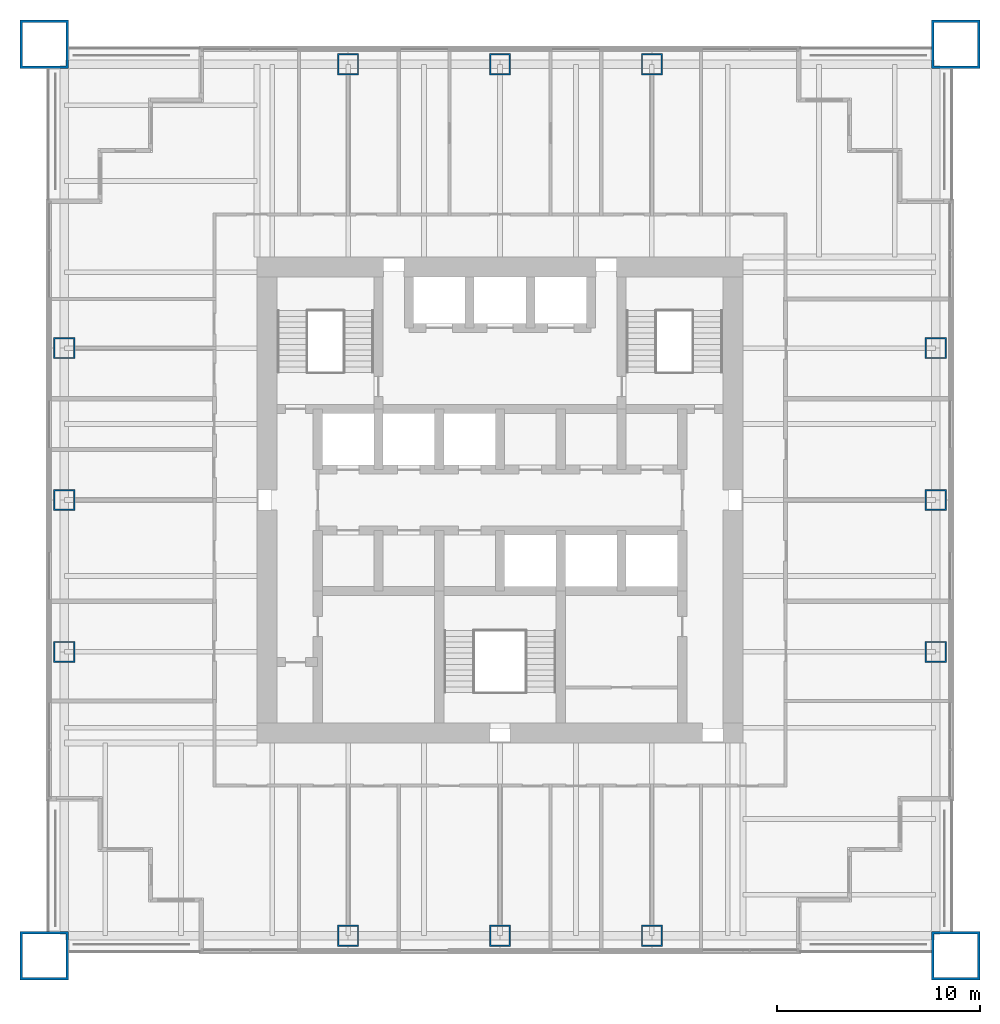
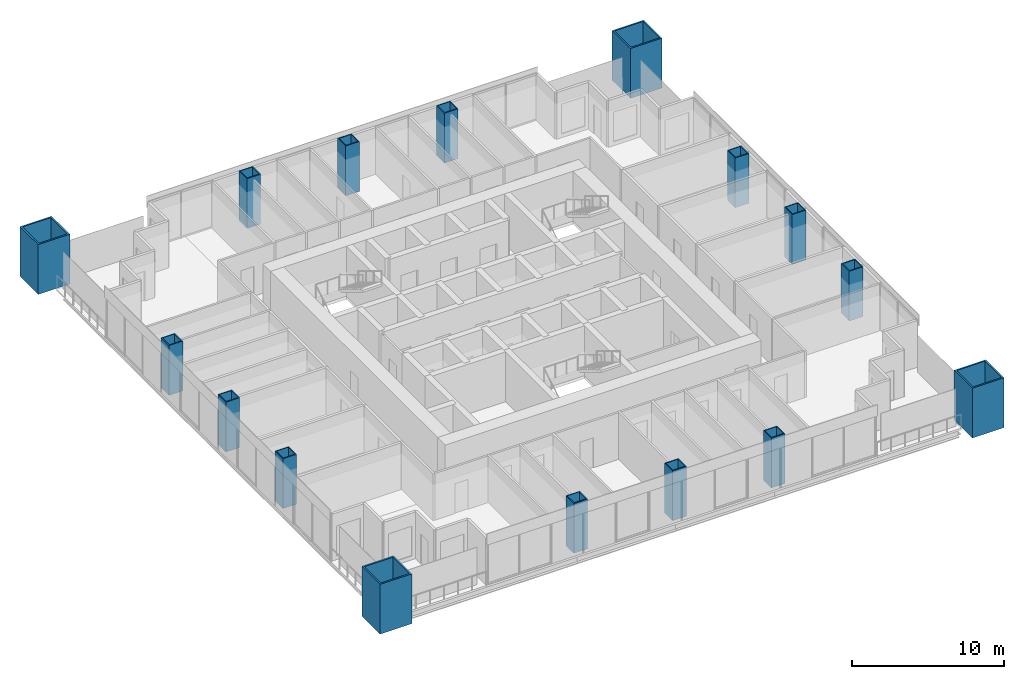
# One storey, part 1 of 14: 16 columns.
"""IFC4 building model written with IfcOpenShell, lengths in metres."""

from ifc_helpers import new_model, si_unit, direction, frame, origin, origin_2d, place, context, subcontext, project, spatial, hollow_rectangle, extrude, material, material_profile, profile_set, type_object, element, save


model = new_model("IFC4")

# Units and contexts
model_context = context("Model", 3, precision=1e-05, world=origin(), true_north=direction((0.0, 1.0)))
body_context = subcontext(model_context, "Body", "Model", "MODEL_VIEW")
ifc_project = project(units=[si_unit("LENGTHUNIT", "METRE"), si_unit("AREAUNIT", "SQUARE_METRE"), si_unit("VOLUMEUNIT", "CUBIC_METRE"), si_unit("PLANEANGLEUNIT", "RADIAN"), si_unit("MASSUNIT", "GRAM", prefix="KILO")], contexts=[model_context])

# Site, building, storey
site_placement = place(None, origin())
site = spatial("IfcSite", under=ifc_project, at=site_placement, CompositionType="ELEMENT")
building_placement = place(site_placement, origin())
building = spatial("IfcBuilding", under=site, at=building_placement, Name="Tarangal Relay Tower", CompositionType="ELEMENT")
storey_placement = place(building_placement, frame((0.0, 0.0, 249.89990234375)))
storey = spatial("IfcBuildingStorey", under=building, at=storey_placement, Name="L54", CompositionType="ELEMENT", Elevation=249.89990234375)

# Columns
ifc_material_1 = material(Name="Steel ASTM A572 Grade 42", Category="steel")
ifc_material_profile_1 = material_profile(ifc_material_1, hollow_rectangle(XDim=2.39990234375, YDim=2.39990234375, WallThickness=0.1201171875, at=origin_2d()), Name="BOX2400X2400X120")
ifc_profile_set_1 = profile_set([ifc_material_profile_1], Name="Steel ASTM A572 Grade 42")
column_type_1 = type_object("IfcColumnType", Name="Mega column BOX2400X2400X120", PredefinedType="COLUMN", material=ifc_profile_set_1)
for number, where, z_axis, x_axis, name in (
    (1, (22.5, 22.5, 0.0), (0.0, 0.0, 1.0), (1.0, 0.0, 0.0), "Mega column MC3 NE L54"),
    (2, (22.5, -22.5, 0.0), (0.0, 0.0, 1.0), (1.0, 0.0, 0.0), "Mega column MC3 SE L54"),
    (3, (-22.5, -22.5, 0.0), (0.0, 0.0, 1.0), (1.0, 0.0, 0.0), "Mega column MC3 SW L54"),
    (4, (-22.5, 22.5, 0.0), (0.0, 0.0, 1.0), (1.0, 0.0, 0.0), "Mega column MC3 NW L54"),
):
    element("IfcColumn", number, at=place(storey_placement, frame(where, z_axis=z_axis, x_axis=x_axis)), inside=storey, type_object=column_type_1, Name=name, PredefinedType="COLUMN", context=body_context, shape_type="SweptSolid", body=[
        extrude(hollow_rectangle(XDim=2.39990234375, YDim=2.39990234375, WallThickness=0.1201171875, at=origin_2d()), origin(), (0.0, 0.0, 1.0), 4.0),
    ])
ifc_material_2 = material(Name="Steel ASTM A572 Grade 50", Category="steel")
ifc_material_profile_2 = material_profile(ifc_material_2, hollow_rectangle(XDim=1.050048828125, YDim=1.050048828125, WallThickness=0.070068359375, at=origin_2d()), Name="BOX1050X1050X70")
ifc_profile_set_2 = profile_set([ifc_material_profile_2], Name="Steel ASTM A572 Grade 50")
column_type_2 = type_object("IfcColumnType", Name="Perimeter column BOX1050X1050X70", PredefinedType="COLUMN", material=ifc_profile_set_2)
for number, where, z_axis, x_axis, name in (
    (5, (-7.5, 21.514892578125, 0.0), (0.0, 0.0, 1.0), (1.0, 0.0, 0.0), "Perimeter column PC4 N L54"),
    (6, (0.0, 21.514892578125, 0.0), (0.0, 0.0, 1.0), (1.0, 0.0, 0.0), "Perimeter column PC4 N L54"),
    (7, (7.5, 21.514892578125, 0.0), (0.0, 0.0, 1.0), (1.0, 0.0, 0.0), "Perimeter column PC4 N L54"),
    (8, (21.514892578125, 7.5, 0.0), (0.0, 0.0, 1.0), (1.0, 0.0, 0.0), "Perimeter column PC4 E L54"),
    (9, (21.514892578125, 0.0, 0.0), (0.0, 0.0, 1.0), (1.0, 0.0, 0.0), "Perimeter column PC4 E L54"),
    (10, (21.514892578125, -7.5, 0.0), (0.0, 0.0, 1.0), (1.0, 0.0, 0.0), "Perimeter column PC4 E L54"),
    (11, (7.5, -21.514892578125, 0.0), (0.0, 0.0, 1.0), (1.0, 0.0, 0.0), "Perimeter column PC4 S L54"),
    (12, (0.0, -21.514892578125, 0.0), (0.0, 0.0, 1.0), (1.0, 0.0, 0.0), "Perimeter column PC4 S L54"),
    (13, (-7.5, -21.514892578125, 0.0), (0.0, 0.0, 1.0), (1.0, 0.0, 0.0), "Perimeter column PC4 S L54"),
    (14, (-21.514892578125, -7.5, 0.0), (0.0, 0.0, 1.0), (1.0, 0.0, 0.0), "Perimeter column PC4 W L54"),
    (15, (-21.514892578125, 0.0, 0.0), (0.0, 0.0, 1.0), (1.0, 0.0, 0.0), "Perimeter column PC4 W L54"),
    (16, (-21.514892578125, 7.5, 0.0), (0.0, 0.0, 1.0), (1.0, 0.0, 0.0), "Perimeter column PC4 W L54"),
):
    element("IfcColumn", number, at=place(storey_placement, frame(where, z_axis=z_axis, x_axis=x_axis)), inside=storey, type_object=column_type_2, Name=name, PredefinedType="COLUMN", context=body_context, shape_type="SweptSolid", body=[
        extrude(hollow_rectangle(XDim=1.050048828125, YDim=1.050048828125, WallThickness=0.070068359375, at=origin_2d()), origin(), (0.0, 0.0, 1.0), 4.0),
    ])

save(model, "model.ifc")
